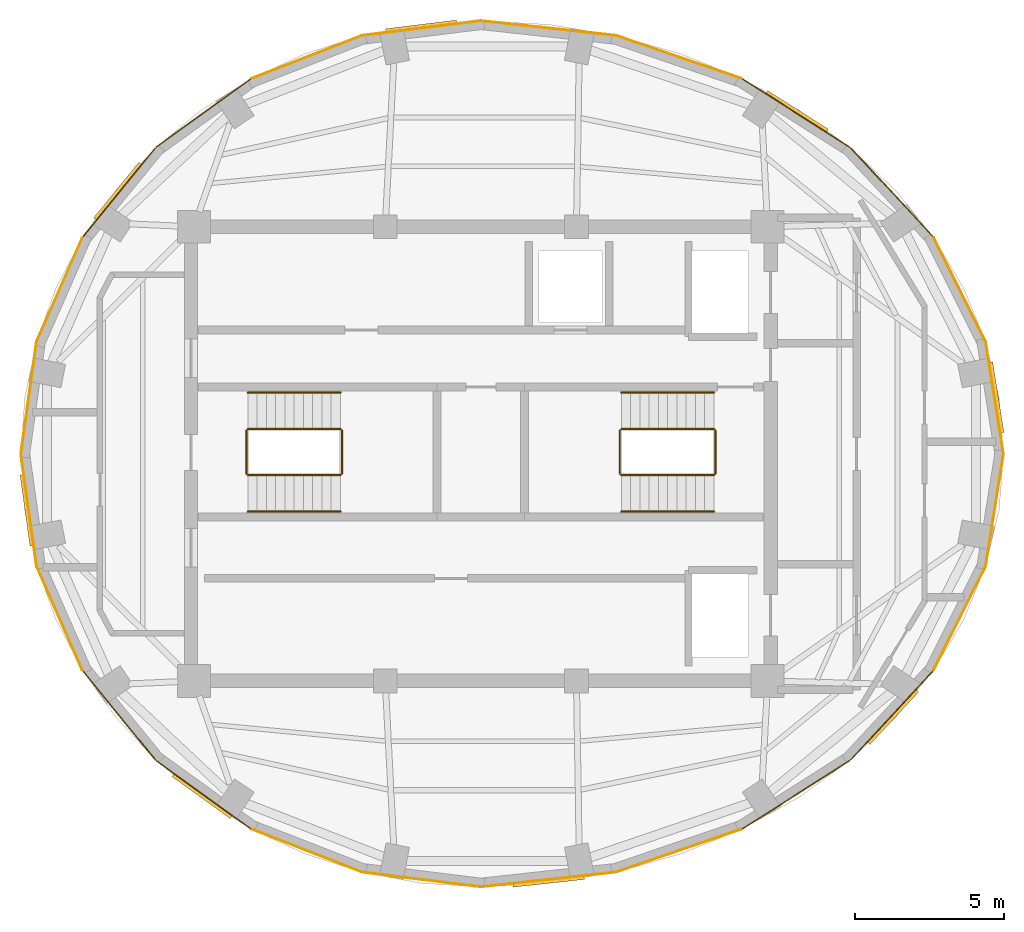
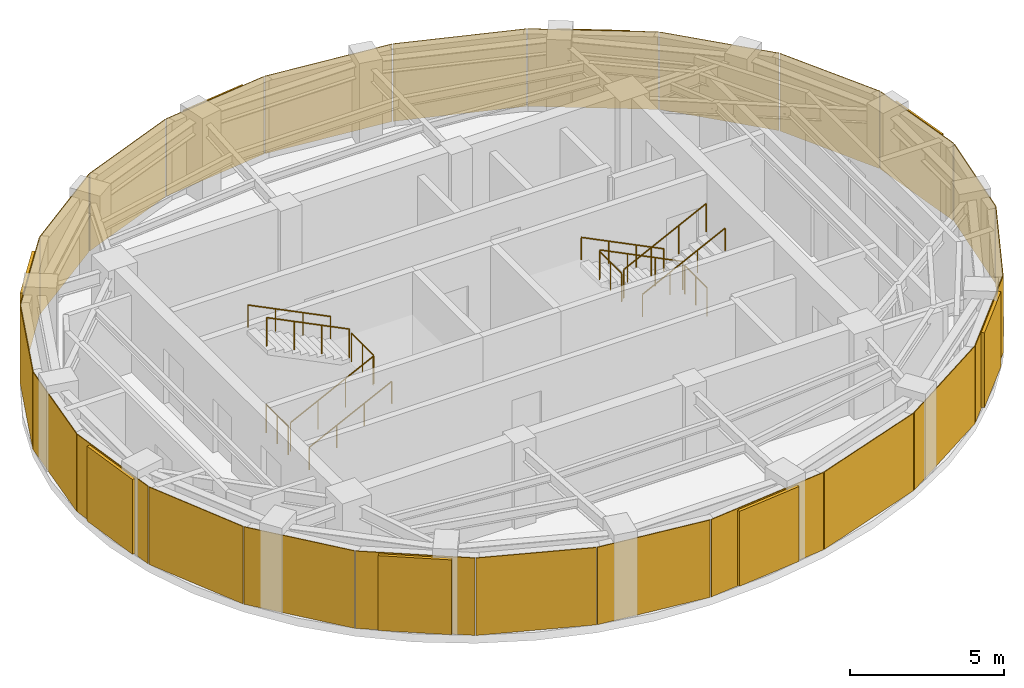
# One storey, part 5 of 5: 24 coverings, 12 railings, 8 shading devices.
"""IFC4 building model written with IfcOpenShell, lengths in metres."""

from ifc_helpers import new_model, si_unit, direction, frame, origin, origin_2d, place, context, subcontext, project, spatial, rectangle, circle, extrude, material, layer, layer_set, type_object, element, save


model = new_model("IFC4")

# Units and contexts
model_context = context("Model", 3, precision=1e-05, world=origin(), true_north=direction((0.0, 1.0)))
body_context = subcontext(model_context, "Body", "Model", "MODEL_VIEW")
ifc_project = project(units=[si_unit("LENGTHUNIT", "METRE"), si_unit("AREAUNIT", "SQUARE_METRE"), si_unit("VOLUMEUNIT", "CUBIC_METRE"), si_unit("PLANEANGLEUNIT", "RADIAN"), si_unit("MASSUNIT", "GRAM", prefix="KILO")], contexts=[model_context])

# Site, building, storey
site_placement = place(None, origin())
site = spatial("IfcSite", under=ifc_project, at=site_placement, CompositionType="ELEMENT")
building_placement = place(site_placement, origin())
building = spatial("IfcBuilding", under=site, at=building_placement, Name="Lazwardi Medical Tower", CompositionType="ELEMENT")
storey_placement = place(building_placement, frame((0.0, 0.0, 309.22412109375)))
storey = spatial("IfcBuildingStorey", under=building, at=storey_placement, Name="L81", CompositionType="ELEMENT", Elevation=309.22412109375)

# Coverings
ifc_material_1 = material(Name="Anodised bronze aluminium cassette cladding", Category="aluminium")
ifc_layer = layer(ifc_material_1, 0.030029296875)
ifc_layer_set = layer_set([ifc_layer], Name="Anodised bronze aluminium cassette cladding")
covering_type = type_object("IfcCoveringType", Name="COV-CLD-BRZ", PredefinedType="CLADDING", material=ifc_layer_set)
covering_1_placement = place(storey_placement, frame((38.260498046875, 13.752197265625, 0.0), z_axis=(0.0, 0.0, 1.0), x_axis=(0.994125867428, 0.108230123855, 0.0)))
element("IfcCovering", 1, at=covering_1_placement, inside=storey, type_object=covering_type, Name="L81 Bronzed crown drum cassette cladding", PredefinedType="CLADDING", context=body_context, shape_type="SweptSolid", body=[
    extrude(rectangle(XDim=4.514404296875, YDim=0.030029296875, at=origin_2d()), origin(), (0.0, 0.0, 1.0), 3.068115234375),
])
covering_2_placement = place(storey_placement, frame((42.62841796875, 14.72021484375, 0.0), z_axis=(0.0, 0.0, 1.0), x_axis=(0.946033335117, 0.324069327223, 0.0)))
element("IfcCovering", 2, at=covering_2_placement, inside=storey, type_object=covering_type, Name="L81 Bronzed crown drum cassette cladding", PredefinedType="CLADDING", context=body_context, shape_type="SweptSolid", body=[
    extrude(rectangle(XDim=4.420654296875, YDim=0.030029296875, at=origin_2d()), origin(), (0.0, 0.0, 1.0), 3.068115234375),
])
covering_3_placement = place(storey_placement, frame((46.547607421875, 16.591552734375, 0.0), z_axis=(0.0, 0.0, 1.0), x_axis=(0.84434288828, 0.535803216686, 0.0)))
element("IfcCovering", 3, at=covering_3_placement, inside=storey, type_object=covering_type, Name="L81 Bronzed crown drum cassette cladding", PredefinedType="CLADDING", context=body_context, shape_type="SweptSolid", body=[
    extrude(rectangle(XDim=4.253173828125, YDim=0.030029296875, at=origin_2d()), origin(), (0.0, 0.0, 1.0), 3.068115234375),
])
covering_4_placement = place(storey_placement, frame((49.751220703125, 19.240966796875, 0.0), z_axis=(0.0, 0.0, 1.0), x_axis=(0.680177307104, 0.733047632082, 0.0)))
element("IfcCovering", 4, at=covering_4_placement, inside=storey, type_object=covering_type, Name="L81 Bronzed crown drum cassette cladding", PredefinedType="CLADDING", context=body_context, shape_type="SweptSolid", body=[
    extrude(rectangle(XDim=4.051513671875, YDim=0.030029296875, at=origin_2d()), origin(), (0.0, 0.0, 1.0), 3.068115234375),
])
covering_5_placement = place(storey_placement, frame((52.019775390625, 22.49072265625, 0.0), z_axis=(0.0, 0.0, 1.0), x_axis=(0.447844918421, 0.894111250933, 0.0)))
element("IfcCovering", 5, at=covering_5_placement, inside=storey, type_object=covering_type, Name="L81 Bronzed crown drum cassette cladding", PredefinedType="CLADDING", context=body_context, shape_type="SweptSolid", body=[
    extrude(rectangle(XDim=3.8681640625, YDim=0.030029296875, at=origin_2d()), origin(), (0.0, 0.0, 1.0), 3.068115234375),
])
for number, where, z_axis, x_axis, name in (
    (6, (53.19580078125, 26.1201171875, 0.0), (0.0, 0.0, 1.0), (0.157201527183, 0.987566544518, 0.0), "L81 Bronzed crown drum cassette cladding"),
    (7, (53.19580078125, 29.8798828125, 0.0), (0.0, 0.0, 1.0), (-0.157201527183, 0.987566544518, 0.0), "L81 Bronzed crown drum cassette cladding"),
):
    element("IfcCovering", number, at=place(storey_placement, frame(where, z_axis=z_axis, x_axis=x_axis)), inside=storey, type_object=covering_type, Name=name, PredefinedType="CLADDING", context=body_context, shape_type="SweptSolid", body=[
        extrude(rectangle(XDim=3.75830078125, YDim=0.030029296875, at=origin_2d()), origin(), (0.0, 0.0, 1.0), 3.068115234375),
    ])
covering_6_placement = place(storey_placement, frame((52.019775390625, 33.50927734375, 0.0), z_axis=(0.0, 0.0, 1.0), x_axis=(-0.447844918421, 0.894111250933, 0.0)))
element("IfcCovering", 8, at=covering_6_placement, inside=storey, type_object=covering_type, Name="L81 Bronzed crown drum cassette cladding", PredefinedType="CLADDING", context=body_context, shape_type="SweptSolid", body=[
    extrude(rectangle(XDim=3.8681640625, YDim=0.030029296875, at=origin_2d()), origin(), (0.0, 0.0, 1.0), 3.068115234375),
])
covering_7_placement = place(storey_placement, frame((49.751220703125, 36.759033203125, 0.0), z_axis=(0.0, 0.0, 1.0), x_axis=(-0.680177307104, 0.733047632082, 0.0)))
element("IfcCovering", 9, at=covering_7_placement, inside=storey, type_object=covering_type, Name="L81 Bronzed crown drum cassette cladding", PredefinedType="CLADDING", context=body_context, shape_type="SweptSolid", body=[
    extrude(rectangle(XDim=4.051513671875, YDim=0.030029296875, at=origin_2d()), origin(), (0.0, 0.0, 1.0), 3.068115234375),
])
covering_8_placement = place(storey_placement, frame((46.547607421875, 39.408447265625, 0.0), z_axis=(0.0, 0.0, 1.0), x_axis=(-0.84434288828, 0.535803216686, 0.0)))
element("IfcCovering", 10, at=covering_8_placement, inside=storey, type_object=covering_type, Name="L81 Bronzed crown drum cassette cladding", PredefinedType="CLADDING", context=body_context, shape_type="SweptSolid", body=[
    extrude(rectangle(XDim=4.253173828125, YDim=0.030029296875, at=origin_2d()), origin(), (0.0, 0.0, 1.0), 3.068115234375),
])
covering_9_placement = place(storey_placement, frame((42.62841796875, 41.27978515625, 0.0), z_axis=(0.0, 0.0, 1.0), x_axis=(-0.946033335117, 0.324069327223, 0.0)))
element("IfcCovering", 11, at=covering_9_placement, inside=storey, type_object=covering_type, Name="L81 Bronzed crown drum cassette cladding", PredefinedType="CLADDING", context=body_context, shape_type="SweptSolid", body=[
    extrude(rectangle(XDim=4.420654296875, YDim=0.030029296875, at=origin_2d()), origin(), (0.0, 0.0, 1.0), 3.068115234375),
])
covering_10_placement = place(storey_placement, frame((38.260498046875, 42.247802734375, 0.0), z_axis=(0.0, 0.0, 1.0), x_axis=(-0.994125867428, 0.108230123855, 0.0)))
element("IfcCovering", 12, at=covering_10_placement, inside=storey, type_object=covering_type, Name="L81 Bronzed crown drum cassette cladding", PredefinedType="CLADDING", context=body_context, shape_type="SweptSolid", body=[
    extrude(rectangle(XDim=4.514404296875, YDim=0.030029296875, at=origin_2d()), origin(), (0.0, 0.0, 1.0), 3.068115234375),
])
covering_11_placement = place(storey_placement, frame((34.009033203125, 42.24755859375, 0.0), z_axis=(0.0, 0.0, 1.0), x_axis=(-0.992414982641, -0.122932917602, 0.0)))
element("IfcCovering", 13, at=covering_11_placement, inside=storey, type_object=covering_type, Name="L81 Bronzed crown drum cassette cladding", PredefinedType="CLADDING", context=body_context, shape_type="SweptSolid", body=[
    extrude(rectangle(XDim=3.974609375, YDim=0.030029296875, at=origin_2d()), origin(), (0.0, 0.0, 1.0), 3.068115234375),
])
covering_12_placement = place(storey_placement, frame((30.162109375, 41.277587890625, 0.0), z_axis=(0.0, 0.0, 1.0), x_axis=(-0.931730529697, -0.363150409653, 0.0)))
element("IfcCovering", 14, at=covering_12_placement, inside=storey, type_object=covering_type, Name="L81 Bronzed crown drum cassette cladding", PredefinedType="CLADDING", context=body_context, shape_type="SweptSolid", body=[
    extrude(rectangle(XDim=3.94482421875, YDim=0.030029296875, at=origin_2d()), origin(), (0.0, 0.0, 1.0), 3.068115234375),
])
covering_13_placement = place(storey_placement, frame((26.71240234375, 39.4033203125, 0.0), z_axis=(0.0, 0.0, 1.0), x_axis=(-0.810758446386, -0.585380851766, 0.0)))
element("IfcCovering", 15, at=covering_13_placement, inside=storey, type_object=covering_type, Name="L81 Bronzed crown drum cassette cladding", PredefinedType="CLADDING", context=body_context, shape_type="SweptSolid", body=[
    extrude(rectangle(XDim=3.89306640625, YDim=0.030029296875, at=origin_2d()), origin(), (0.0, 0.0, 1.0), 3.068115234375),
])
covering_14_placement = place(storey_placement, frame((23.894287109375, 36.751708984375, 0.0), z_axis=(0.0, 0.0, 1.0), x_axis=(-0.63198331542, -0.774981992714, 0.0)))
element("IfcCovering", 16, at=covering_14_placement, inside=storey, type_object=covering_type, Name="L81 Bronzed crown drum cassette cladding", PredefinedType="CLADDING", context=body_context, shape_type="SweptSolid", body=[
    extrude(rectangle(XDim=3.832275390625, YDim=0.030029296875, at=origin_2d()), origin(), (0.0, 0.0, 1.0), 3.068115234375),
])
covering_15_placement = place(storey_placement, frame((21.900390625, 33.50244140625, 0.0), z_axis=(0.0, 0.0, 1.0), x_axis=(-0.402906435714, -0.915241172621, 0.0)))
element("IfcCovering", 17, at=covering_15_placement, inside=storey, type_object=covering_type, Name="L81 Bronzed crown drum cassette cladding", PredefinedType="CLADDING", context=body_context, shape_type="SweptSolid", body=[
    extrude(rectangle(XDim=3.77880859375, YDim=0.030029296875, at=origin_2d()), origin(), (0.0, 0.0, 1.0), 3.068115234375),
])
for number, where, z_axis, x_axis, name in (
    (18, (20.8681640625, 29.876953125, 0.0), (0.0, 0.0, 1.0), (-0.138566426199, -0.990353141829, 0.0), "L81 Bronzed crown drum cassette cladding"),
    (19, (20.8681640625, 26.123046875, 0.0), (0.0, 0.0, 1.0), (0.138566426199, -0.990353141829, 0.0), "L81 Bronzed crown drum cassette cladding"),
):
    element("IfcCovering", number, at=place(storey_placement, frame(where, z_axis=z_axis, x_axis=x_axis)), inside=storey, type_object=covering_type, Name=name, PredefinedType="CLADDING", context=body_context, shape_type="SweptSolid", body=[
        extrude(rectangle(XDim=3.747802734375, YDim=0.030029296875, at=origin_2d()), origin(), (0.0, 0.0, 1.0), 3.068115234375),
    ])
covering_16_placement = place(storey_placement, frame((21.900390625, 22.49755859375, 0.0), z_axis=(0.0, 0.0, 1.0), x_axis=(0.402906435714, -0.915241172621, 0.0)))
element("IfcCovering", 20, at=covering_16_placement, inside=storey, type_object=covering_type, Name="L81 Bronzed crown drum cassette cladding", PredefinedType="CLADDING", context=body_context, shape_type="SweptSolid", body=[
    extrude(rectangle(XDim=3.77880859375, YDim=0.030029296875, at=origin_2d()), origin(), (0.0, 0.0, 1.0), 3.068115234375),
])
covering_17_placement = place(storey_placement, frame((23.894287109375, 19.248291015625, 0.0), z_axis=(0.0, 0.0, 1.0), x_axis=(0.63198331542, -0.774981992714, 0.0)))
element("IfcCovering", 21, at=covering_17_placement, inside=storey, type_object=covering_type, Name="L81 Bronzed crown drum cassette cladding", PredefinedType="CLADDING", context=body_context, shape_type="SweptSolid", body=[
    extrude(rectangle(XDim=3.832275390625, YDim=0.030029296875, at=origin_2d()), origin(), (0.0, 0.0, 1.0), 3.068115234375),
])
covering_18_placement = place(storey_placement, frame((26.71240234375, 16.5966796875, 0.0), z_axis=(0.0, 0.0, 1.0), x_axis=(0.810758446386, -0.585380851766, 0.0)))
element("IfcCovering", 22, at=covering_18_placement, inside=storey, type_object=covering_type, Name="L81 Bronzed crown drum cassette cladding", PredefinedType="CLADDING", context=body_context, shape_type="SweptSolid", body=[
    extrude(rectangle(XDim=3.89306640625, YDim=0.030029296875, at=origin_2d()), origin(), (0.0, 0.0, 1.0), 3.068115234375),
])
covering_19_placement = place(storey_placement, frame((30.162109375, 14.722412109375, 0.0), z_axis=(0.0, 0.0, 1.0), x_axis=(0.931730529697, -0.363150409653, 0.0)))
element("IfcCovering", 23, at=covering_19_placement, inside=storey, type_object=covering_type, Name="L81 Bronzed crown drum cassette cladding", PredefinedType="CLADDING", context=body_context, shape_type="SweptSolid", body=[
    extrude(rectangle(XDim=3.94482421875, YDim=0.030029296875, at=origin_2d()), origin(), (0.0, 0.0, 1.0), 3.068115234375),
])
covering_20_placement = place(storey_placement, frame((34.009033203125, 13.75244140625, 0.0), z_axis=(0.0, 0.0, 1.0), x_axis=(0.992414982641, -0.122932917602, 0.0)))
element("IfcCovering", 24, at=covering_20_placement, inside=storey, type_object=covering_type, Name="L81 Bronzed crown drum cassette cladding", PredefinedType="CLADDING", context=body_context, shape_type="SweptSolid", body=[
    extrude(rectangle(XDim=3.974609375, YDim=0.030029296875, at=origin_2d()), origin(), (0.0, 0.0, 1.0), 3.068115234375),
])

# Railings
ifc_material_2 = material(Name="Stainless steel Grade 316", Category="steel")
railing_type_1 = type_object("IfcRailingType", Name="RLG-GRD-1150", PredefinedType="GUARDRAIL", material=ifc_material_2)
railing_1_placement = place(storey_placement, frame((28.199951171875, 27.2900390625, 0.15380859375)))
element("IfcRailing", 25, at=railing_1_placement, inside=storey, type_object=railing_type_1, Name="L81 ST1 stair guard 1", PredefinedType="GUARDRAIL", context=body_context, shape_type="SweptSolid", body=[
    extrude(circle(Radius=0.02392578125, at=origin_2d()), frame((0.0, 0.0, 1.1259765625), z_axis=(0.895580879637, 0.0, 0.444898739073), x_axis=(0.0, 1.0, 0.0)), (0.0, 0.0, 1.0), 3.461669921875),
    extrude(circle(Radius=0.02099609375, at=origin_2d()), origin(), (0.0, 0.0, 1.0), 1.099853515625),
    extrude(circle(Radius=0.02099609375, at=origin_2d()), frame((1.033447265625, 0.0, 0.513427734375)), (0.0, 0.0, 1.0), 1.099853515625),
    extrude(circle(Radius=0.02099609375, at=origin_2d()), frame((2.066650390625, 0.0, 1.026611328125)), (0.0, 0.0, 1.0), 1.099853515625),
    extrude(circle(Radius=0.02099609375, at=origin_2d()), frame((3.10009765625, 0.0, 1.5400390625)), (0.0, 0.0, 1.0), 1.099853515625),
])
railing_2_placement = place(storey_placement, frame((31.35009765625, 27.340087890625, 1.69384765625)))
element("IfcRailing", 26, at=railing_2_placement, inside=storey, type_object=railing_type_1, Name="L81 ST1 stair guard 2", PredefinedType="GUARDRAIL", context=body_context, shape_type="SweptSolid", body=[
    extrude(circle(Radius=0.02392578125, at=origin_2d()), frame((0.0, 0.0, 1.1259765625), z_axis=(0.0, 1.0, 0.0), x_axis=(-1.0, 0.0, 0.0)), (0.0, 0.0, 1.0), 1.43994140625),
    extrude(circle(Radius=0.02099609375, at=origin_2d()), origin(), (0.0, 0.0, 1.0), 1.099853515625),
    extrude(circle(Radius=0.02099609375, at=origin_2d()), frame((0.0, 0.719970703125, 0.0)), (0.0, 0.0, 1.0), 1.099853515625),
    extrude(circle(Radius=0.02099609375, at=origin_2d()), frame((0.0, 1.43994140625, 0.0)), (0.0, 0.0, 1.0), 1.099853515625),
])
railing_3_placement = place(storey_placement, frame((31.300048828125, 28.830078125, 1.847900390625)))
element("IfcRailing", 27, at=railing_3_placement, inside=storey, type_object=railing_type_1, Name="L81 ST1 stair guard 3", PredefinedType="GUARDRAIL", context=body_context, shape_type="SweptSolid", body=[
    extrude(circle(Radius=0.02392578125, at=origin_2d()), frame((0.0, 0.0, 1.1259765625), z_axis=(-0.895580879637, 0.0, 0.444898739073), x_axis=(0.0, -1.0, 0.0)), (0.0, 0.0, 1.0), 3.461669921875),
    extrude(circle(Radius=0.02099609375, at=origin_2d()), origin(), (0.0, 0.0, 1.0), 1.099853515625),
    extrude(circle(Radius=0.02099609375, at=origin_2d()), frame((-1.033447265625, 0.0, 0.513427734375)), (0.0, 0.0, 1.0), 1.099853515625),
    extrude(circle(Radius=0.02099609375, at=origin_2d()), frame((-2.066650390625, 0.0, 1.026611328125)), (0.0, 0.0, 1.0), 1.099853515625),
    extrude(circle(Radius=0.02099609375, at=origin_2d()), frame((-3.10009765625, 0.0, 1.5400390625)), (0.0, 0.0, 1.0), 1.099853515625),
])
railing_4_placement = place(storey_placement, frame((28.14990234375, 27.340087890625, 0.0)))
element("IfcRailing", 28, at=railing_4_placement, inside=storey, type_object=railing_type_1, Name="L81 ST1 stair guard 4", PredefinedType="GUARDRAIL", context=body_context, shape_type="SweptSolid", body=[
    extrude(circle(Radius=0.02392578125, at=origin_2d()), frame((0.0, 0.0, 1.1259765625), z_axis=(0.0, 1.0, 0.0), x_axis=(-1.0, 0.0, 0.0)), (0.0, 0.0, 1.0), 1.43994140625),
    extrude(circle(Radius=0.02099609375, at=origin_2d()), origin(), (0.0, 0.0, 1.0), 1.099853515625),
    extrude(circle(Radius=0.02099609375, at=origin_2d()), frame((0.0, 0.719970703125, 0.0)), (0.0, 0.0, 1.0), 1.099853515625),
    extrude(circle(Radius=0.02099609375, at=origin_2d()), frame((0.0, 1.43994140625, 0.0)), (0.0, 0.0, 1.0), 1.099853515625),
])
railing_5_placement = place(storey_placement, frame((43.800048828125, 28.830078125, 0.15380859375)))
element("IfcRailing", 29, at=railing_5_placement, inside=storey, type_object=railing_type_1, Name="L81 ST2 stair guard 1", PredefinedType="GUARDRAIL", context=body_context, shape_type="SweptSolid", body=[
    extrude(circle(Radius=0.02392578125, at=origin_2d()), frame((0.0, 0.0, 1.1259765625), z_axis=(-0.895580879637, 0.0, 0.444898739073), x_axis=(0.0, -1.0, 0.0)), (0.0, 0.0, 1.0), 3.461669921875),
    extrude(circle(Radius=0.02099609375, at=origin_2d()), origin(), (0.0, 0.0, 1.0), 1.099853515625),
    extrude(circle(Radius=0.02099609375, at=origin_2d()), frame((-1.033447265625, 0.0, 0.513427734375)), (0.0, 0.0, 1.0), 1.099853515625),
    extrude(circle(Radius=0.02099609375, at=origin_2d()), frame((-2.066650390625, 0.0, 1.026611328125)), (0.0, 0.0, 1.0), 1.099853515625),
    extrude(circle(Radius=0.02099609375, at=origin_2d()), frame((-3.10009765625, 0.0, 1.5400390625)), (0.0, 0.0, 1.0), 1.099853515625),
])
railing_6_placement = place(storey_placement, frame((40.64990234375, 28.780029296875, 1.69384765625)))
element("IfcRailing", 30, at=railing_6_placement, inside=storey, type_object=railing_type_1, Name="L81 ST2 stair guard 2", PredefinedType="GUARDRAIL", context=body_context, shape_type="SweptSolid", body=[
    extrude(circle(Radius=0.02392578125, at=origin_2d()), frame((0.0, 0.0, 1.1259765625), z_axis=(0.0, -1.0, 0.0), x_axis=(1.0, 0.0, 0.0)), (0.0, 0.0, 1.0), 1.43994140625),
    extrude(circle(Radius=0.02099609375, at=origin_2d()), origin(), (0.0, 0.0, 1.0), 1.099853515625),
    extrude(circle(Radius=0.02099609375, at=origin_2d()), frame((0.0, -0.719970703125, 0.0)), (0.0, 0.0, 1.0), 1.099853515625),
    extrude(circle(Radius=0.02099609375, at=origin_2d()), frame((0.0, -1.43994140625, 0.0)), (0.0, 0.0, 1.0), 1.099853515625),
])
railing_7_placement = place(storey_placement, frame((40.699951171875, 27.2900390625, 1.847900390625)))
element("IfcRailing", 31, at=railing_7_placement, inside=storey, type_object=railing_type_1, Name="L81 ST2 stair guard 3", PredefinedType="GUARDRAIL", context=body_context, shape_type="SweptSolid", body=[
    extrude(circle(Radius=0.02392578125, at=origin_2d()), frame((0.0, 0.0, 1.1259765625), z_axis=(0.895580879637, 0.0, 0.444898739073), x_axis=(0.0, 1.0, 0.0)), (0.0, 0.0, 1.0), 3.461669921875),
    extrude(circle(Radius=0.02099609375, at=origin_2d()), origin(), (0.0, 0.0, 1.0), 1.099853515625),
    extrude(circle(Radius=0.02099609375, at=origin_2d()), frame((1.033447265625, 0.0, 0.513427734375)), (0.0, 0.0, 1.0), 1.099853515625),
    extrude(circle(Radius=0.02099609375, at=origin_2d()), frame((2.066650390625, 0.0, 1.026611328125)), (0.0, 0.0, 1.0), 1.099853515625),
    extrude(circle(Radius=0.02099609375, at=origin_2d()), frame((3.10009765625, 0.0, 1.5400390625)), (0.0, 0.0, 1.0), 1.099853515625),
])
railing_8_placement = place(storey_placement, frame((43.85009765625, 28.780029296875, 0.0)))
element("IfcRailing", 32, at=railing_8_placement, inside=storey, type_object=railing_type_1, Name="L81 ST2 stair guard 4", PredefinedType="GUARDRAIL", context=body_context, shape_type="SweptSolid", body=[
    extrude(circle(Radius=0.02392578125, at=origin_2d()), frame((0.0, 0.0, 1.1259765625), z_axis=(0.0, -1.0, 0.0), x_axis=(1.0, 0.0, 0.0)), (0.0, 0.0, 1.0), 1.43994140625),
    extrude(circle(Radius=0.02099609375, at=origin_2d()), origin(), (0.0, 0.0, 1.0), 1.099853515625),
    extrude(circle(Radius=0.02099609375, at=origin_2d()), frame((0.0, -0.719970703125, 0.0)), (0.0, 0.0, 1.0), 1.099853515625),
    extrude(circle(Radius=0.02099609375, at=origin_2d()), frame((0.0, -1.43994140625, 0.0)), (0.0, 0.0, 1.0), 1.099853515625),
])
railing_type_2 = type_object("IfcRailingType", Name="RLG-HND-920", PredefinedType="HANDRAIL", material=ifc_material_2)
railing_9_placement = place(storey_placement, frame((28.199951171875, 26.070068359375, 0.15380859375)))
element("IfcRailing", 33, at=railing_9_placement, inside=storey, type_object=railing_type_2, Name="L81 ST1 stair handrail 1", PredefinedType="HANDRAIL", context=body_context, shape_type="SweptSolid", body=[
    extrude(circle(Radius=0.02392578125, at=origin_2d()), frame((0.0, 0.0, 0.8857421875), z_axis=(0.895580879637, 0.0, 0.444898739073), x_axis=(0.0, 1.0, 0.0)), (0.0, 0.0, 1.0), 3.461669921875),
    extrude(circle(Radius=0.02099609375, at=origin_2d()), origin(), (0.0, 0.0, 1.0), 0.85986328125),
    extrude(circle(Radius=0.02099609375, at=origin_2d()), frame((1.033447265625, 0.0, 0.513427734375)), (0.0, 0.0, 1.0), 0.85986328125),
    extrude(circle(Radius=0.02099609375, at=origin_2d()), frame((2.066650390625, 0.0, 1.026611328125)), (0.0, 0.0, 1.0), 0.85986328125),
    extrude(circle(Radius=0.02099609375, at=origin_2d()), frame((3.10009765625, 0.0, 1.5400390625)), (0.0, 0.0, 1.0), 0.85986328125),
])
for number, where, name in (
    (34, (31.300048828125, 30.050048828125, 1.847900390625), "L81 ST1 stair handrail 2"),
    (35, (43.800048828125, 30.050048828125, 0.15380859375), "L81 ST2 stair handrail 1"),
):
    element("IfcRailing", number, at=place(storey_placement, frame(where)), inside=storey, type_object=railing_type_2, Name=name, PredefinedType="HANDRAIL", context=body_context, shape_type="SweptSolid", body=[
        extrude(circle(Radius=0.02392578125, at=origin_2d()), frame((0.0, 0.0, 0.8857421875), z_axis=(-0.895580879637, 0.0, 0.444898739073), x_axis=(0.0, -1.0, 0.0)), (0.0, 0.0, 1.0), 3.461669921875),
        extrude(circle(Radius=0.02099609375, at=origin_2d()), origin(), (0.0, 0.0, 1.0), 0.85986328125),
        extrude(circle(Radius=0.02099609375, at=origin_2d()), frame((-1.033447265625, 0.0, 0.513427734375)), (0.0, 0.0, 1.0), 0.85986328125),
        extrude(circle(Radius=0.02099609375, at=origin_2d()), frame((-2.066650390625, 0.0, 1.026611328125)), (0.0, 0.0, 1.0), 0.85986328125),
        extrude(circle(Radius=0.02099609375, at=origin_2d()), frame((-3.10009765625, 0.0, 1.5400390625)), (0.0, 0.0, 1.0), 0.85986328125),
    ])
railing_10_placement = place(storey_placement, frame((40.699951171875, 26.070068359375, 1.847900390625)))
element("IfcRailing", 36, at=railing_10_placement, inside=storey, type_object=railing_type_2, Name="L81 ST2 stair handrail 2", PredefinedType="HANDRAIL", context=body_context, shape_type="SweptSolid", body=[
    extrude(circle(Radius=0.02392578125, at=origin_2d()), frame((0.0, 0.0, 0.8857421875), z_axis=(0.895580879637, 0.0, 0.444898739073), x_axis=(0.0, 1.0, 0.0)), (0.0, 0.0, 1.0), 3.461669921875),
    extrude(circle(Radius=0.02099609375, at=origin_2d()), origin(), (0.0, 0.0, 1.0), 0.85986328125),
    extrude(circle(Radius=0.02099609375, at=origin_2d()), frame((1.033447265625, 0.0, 0.513427734375)), (0.0, 0.0, 1.0), 0.85986328125),
    extrude(circle(Radius=0.02099609375, at=origin_2d()), frame((2.066650390625, 0.0, 1.026611328125)), (0.0, 0.0, 1.0), 0.85986328125),
    extrude(circle(Radius=0.02099609375, at=origin_2d()), frame((3.10009765625, 0.0, 1.5400390625)), (0.0, 0.0, 1.0), 0.85986328125),
])

# Shading devices
ifc_material_3 = material(Name="Anodised bronze aluminium storm louvre", Category="aluminium")
shading_device_type_1 = type_object("IfcShadingDeviceType", Name="SHD-LVR-01", PredefinedType="JALOUSIE", material=ifc_material_3)
for number, where, z_axis, x_axis, name in (
    (37, (38.2666015625, 13.695556640625, 0.0498046875), (0.0, 0.0, 1.0), (0.994125867428, 0.108230123855, 0.0), "L81 Crown Acoustic Storm Louvre 01"),
    (38, (53.251953125, 29.888916015625, 0.0498046875), (0.0, 0.0, 1.0), (-0.157201527183, 0.987566544518, 0.0), "L81 Crown Acoustic Storm Louvre 07"),
    (39, (34.001953125, 42.30419921875, 0.0498046875), (0.0, 0.0, 1.0), (-0.992414982641, -0.122932917602, 0.0), "L81 Crown Acoustic Storm Louvre 13"),
    (40, (20.811767578125, 26.115234375, 0.0498046875), (0.0, 0.0, 1.0), (0.138566426199, -0.990353141829, 0.0), "L81 Crown Acoustic Storm Louvre 19"),
):
    element("IfcShadingDevice", number, at=place(storey_placement, frame(where, z_axis=z_axis, x_axis=x_axis)), inside=storey, type_object=shading_device_type_1, Name=name, PredefinedType="JALOUSIE", context=body_context, shape_type="SweptSolid", body=[
        extrude(rectangle(XDim=2.39990234375, YDim=0.139892578125, at=origin_2d()), origin(), (0.0, 0.0, 1.0), 2.968017578125),
    ])
ifc_material_4 = material(Name="Perforated bronze girih solar screen", Category="aluminium")
shading_device_type_2 = type_object("IfcShadingDeviceType", Name="SHD-SCR-01", PredefinedType="USERDEFINED", material=ifc_material_4)
for number, where, z_axis, x_axis, name in (
    (41, (49.79296875, 19.2021484375, 0.0498046875), (0.0, 0.0, 1.0), (0.680177307104, 0.733047632082, 0.0), "L81 Crown Bronze Girih Screen 04"),
    (42, (46.578125, 39.456787109375, 0.0498046875), (0.0, 0.0, 1.0), (-0.84434288828, 0.535803216686, 0.0), "L81 Crown Bronze Girih Screen 10"),
    (43, (23.85009765625, 36.78759765625, 0.0498046875), (0.0, 0.0, 1.0), (-0.63198331542, -0.774981992714, 0.0), "L81 Crown Bronze Girih Screen 16"),
    (44, (26.678955078125, 16.55029296875, 0.0498046875), (0.0, 0.0, 1.0), (0.810758446386, -0.585380851766, 0.0), "L81 Crown Bronze Girih Screen 22"),
):
    element("IfcShadingDevice", number, at=place(storey_placement, frame(where, z_axis=z_axis, x_axis=x_axis)), inside=storey, type_object=shading_device_type_2, Name=name, ObjectType="SCREEN", PredefinedType="USERDEFINED", context=body_context, shape_type="SweptSolid", body=[
        extrude(rectangle(XDim=2.39990234375, YDim=0.139892578125, at=origin_2d()), origin(), (0.0, 0.0, 1.0), 2.968017578125),
    ])

save(model, "model.ifc")
